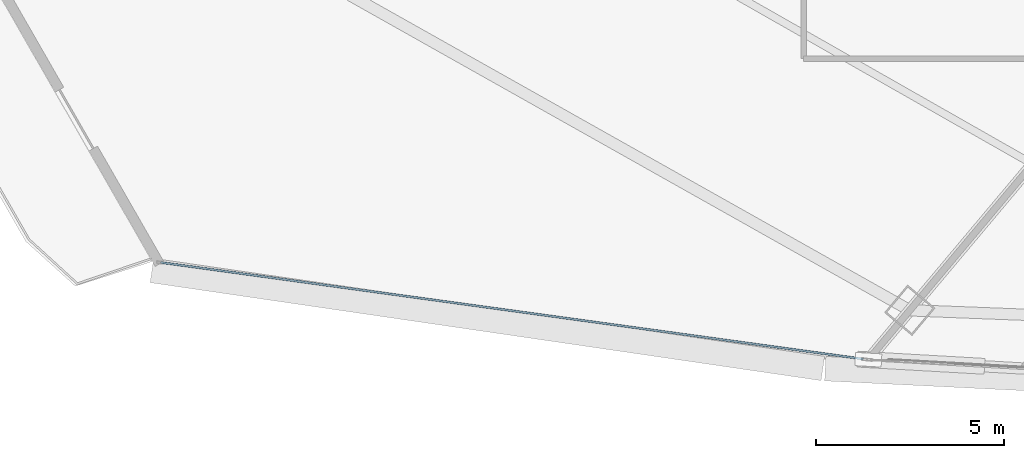
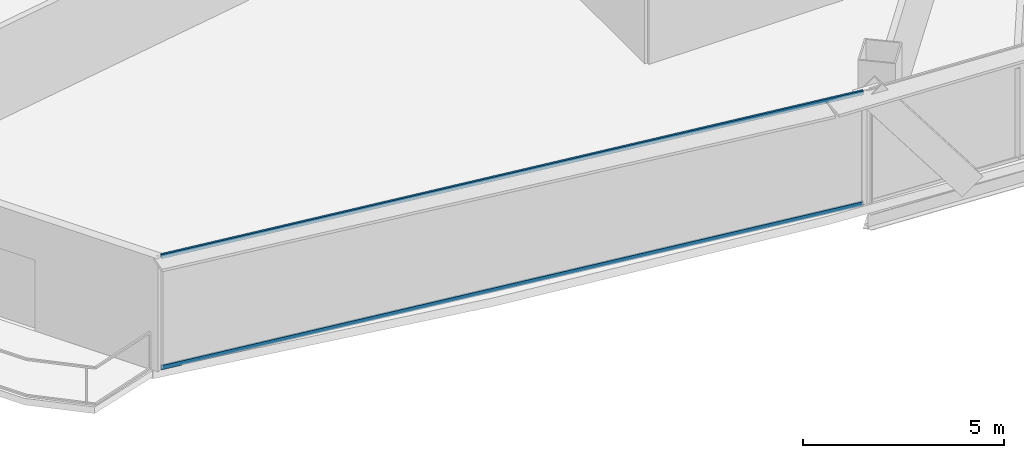
# One storey, part 3 of 39: 2 members, 1 element without a shape of its own.
"""IFC4 building model written with IfcOpenShell, lengths in metres."""

from ifc_helpers import new_model, si_unit, direction, frame, origin, origin_2d, place, context, subcontext, project, spatial, hollow_rectangle, extrude, source, transform, mapped, material, layer, layer_set, material_profile, profile_set, type_object, element, aggregate, save


model = new_model("IFC4")

# Units and contexts
model_context = context("Model", 3, precision=1e-05, world=origin(), true_north=direction((0.0, 1.0)))
body_context = subcontext(model_context, "Body", "Model", "MODEL_VIEW")
ifc_project = project(units=[si_unit("LENGTHUNIT", "METRE"), si_unit("AREAUNIT", "SQUARE_METRE"), si_unit("VOLUMEUNIT", "CUBIC_METRE"), si_unit("PLANEANGLEUNIT", "RADIAN"), si_unit("MASSUNIT", "GRAM", prefix="KILO"), si_unit("THERMODYNAMICTEMPERATUREUNIT", "KELVIN"), si_unit("POWERUNIT", "WATT")], contexts=[model_context])

# Site, building, storey
site_placement = place(None, origin())
site = spatial("IfcSite", under=ifc_project, at=site_placement, CompositionType="ELEMENT")
building_placement = place(site_placement, origin())
building = spatial("IfcBuilding", under=site, at=building_placement, Name="Yunzhuo Pagoda Commons", CompositionType="ELEMENT")
storey_placement = place(building_placement, frame((0.0, 0.0, 140.8701171875)))
storey = spatial("IfcBuildingStorey", under=building, at=storey_placement, Name="L35", CompositionType="ELEMENT", Elevation=140.8701171875)

# Curtain wall, members
ifc_material = material(Name="Anodized aluminium 6063-T6", Category="aluminium")
ifc_layer = layer(ifc_material, 0.14990234375)
ifc_layer_set = layer_set([ifc_layer], Name="Anodized aluminium 6063-T6")
curtain_wall_type = type_object("IfcCurtainWallType", Name="CW-MID Mid-Zone Ribbon Curtain Wall", PredefinedType="NOTDEFINED", material=ifc_layer_set)
curtain_wall_placement = place(storey_placement, origin())
curtain_wall = element("IfcCurtainWall", 1, at=curtain_wall_placement, inside=storey, type_object=curtain_wall_type, Name="L35 curtain wall CW-L35-F1B1", PredefinedType="NOTDEFINED")
ifc_material_profile = material_profile(ifc_material, hollow_rectangle(XDim=0.054931640625, YDim=0.1298828125, WallThickness=0.00341796875, at=origin_2d()), Name="Anodized aluminium 6063-T6")
ifc_profile_set = profile_set([ifc_material_profile], Name="Anodized aluminium 6063-T6")
member_type = type_object("IfcMemberType", Name="CW-MID-T Transom RHS 130x55x3.5", PredefinedType="USERDEFINED", material=ifc_profile_set)
shared_shape = source(origin(), body_context, "Body", "SweptSolid", [
    extrude(hollow_rectangle(XDim=0.054931640625, YDim=0.1298828125, WallThickness=0.00341796875, at=origin_2d()), origin(), (0.0, 0.0, 1.0), 18.8115234375),
])
member_1_placement = place(storey_placement, frame((12.54443359375, 16.395751953125, 0.02734375), z_axis=(0.99067870849, -0.136219295783, 0.0), x_axis=(0.136219295783, 0.99067870849, 0.0)))
member_1 = element("IfcMember", 2, at=member_1_placement, type_object=member_type, Name="CW transom 1.1", ObjectType="TRANSOM", PredefinedType="USERDEFINED", context=body_context, shape_type="MappedRepresentation", body=[
    mapped(shared_shape, transform((0.0, 0.0, 0.0), scale=1.0)),
])
member_2_placement = place(storey_placement, frame((12.54443359375, 16.395751953125, 3.392333984375), z_axis=(0.99067870849, -0.136219295783, 0.0), x_axis=(0.136219295783, 0.99067870849, 0.0)))
member_2 = element("IfcMember", 3, at=member_2_placement, type_object=member_type, Name="CW transom 1.2", ObjectType="TRANSOM", PredefinedType="USERDEFINED", context=body_context, shape_type="MappedRepresentation", body=[
    mapped(shared_shape, transform((0.0, 0.0, 0.0), scale=1.0)),
])
aggregate(curtain_wall, [member_1, member_2])

save(model, "model.ifc")
